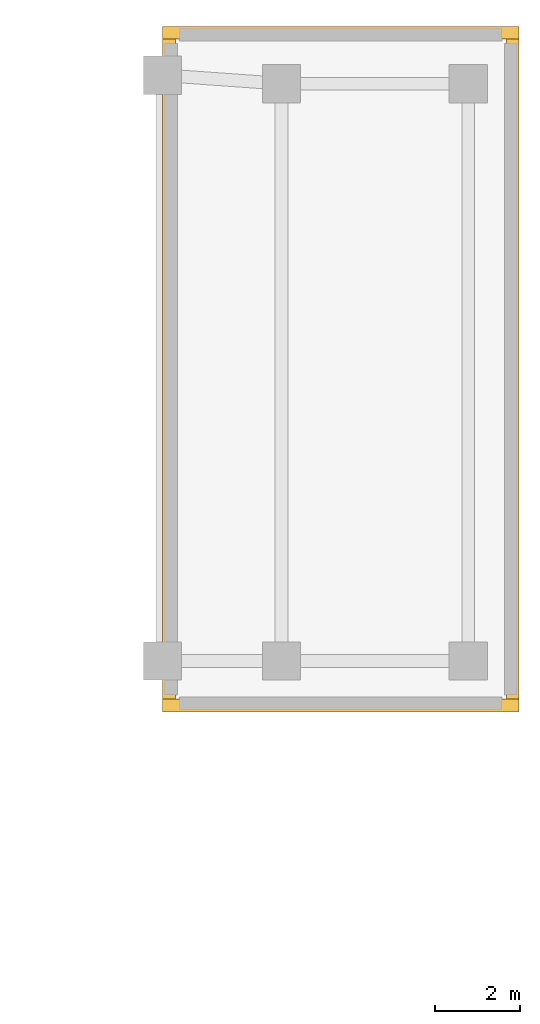
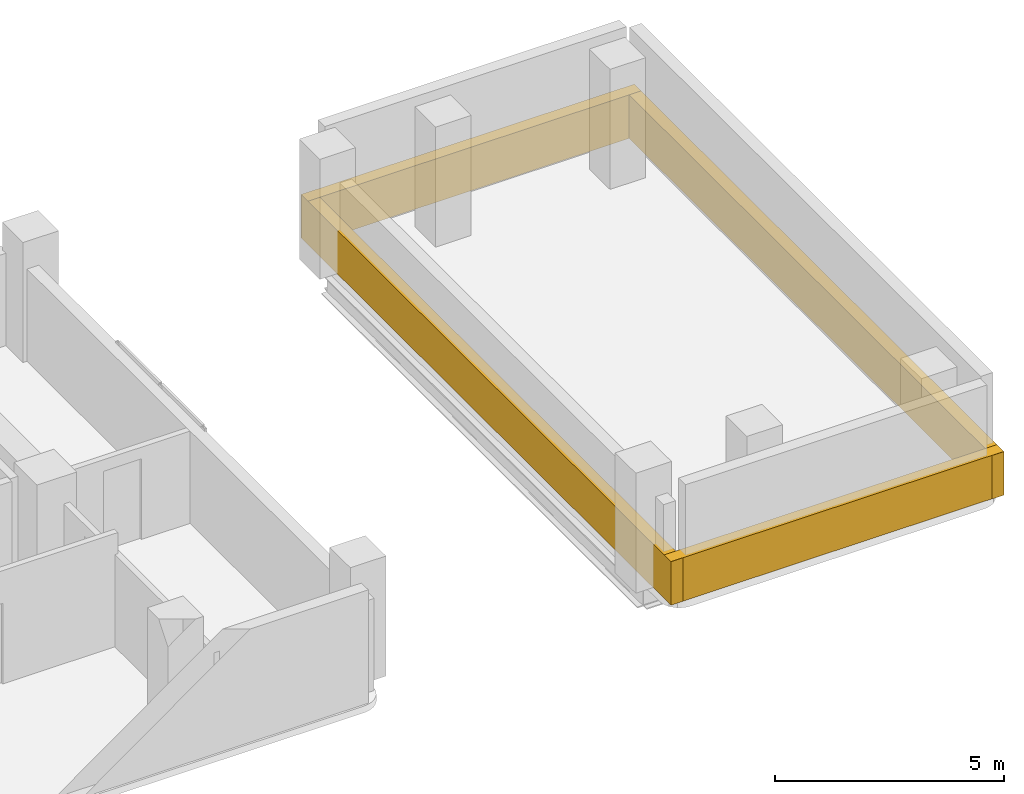
# One storey, part 10 of 10: 4 coverings.
"""IFC4 building model written with IfcOpenShell, lengths in metres."""

from ifc_helpers import new_model, si_unit, direction, frame, origin, origin_2d, place, context, subcontext, project, spatial, rectangle, extrude, material, layer, layer_set, type_object, element, save


model = new_model("IFC4")

# Units and contexts
model_context = context("Model", 3, precision=1e-05, world=origin(), true_north=direction((0.0, 1.0)))
body_context = subcontext(model_context, "Body", "Model", "MODEL_VIEW")
ifc_project = project(units=[si_unit("LENGTHUNIT", "METRE"), si_unit("AREAUNIT", "SQUARE_METRE"), si_unit("VOLUMEUNIT", "CUBIC_METRE"), si_unit("PLANEANGLEUNIT", "RADIAN"), si_unit("MASSUNIT", "GRAM", prefix="KILO")], contexts=[model_context])

# Site, building, storey
site_placement = place(None, origin())
site = spatial("IfcSite", under=ifc_project, at=site_placement, CompositionType="ELEMENT")
building_placement = place(site_placement, origin())
building = spatial("IfcBuilding", under=site, at=building_placement, Name="Kuzgunbayir Cultural Tower", CompositionType="ELEMENT")
storey_placement = place(building_placement, frame((0.0, 0.0, 160.0)))
storey = spatial("IfcBuildingStorey", under=building, at=storey_placement, Name="L46", CompositionType="ELEMENT", Elevation=160.0)

# Coverings
ifc_material = material(Name="Anatolian Cream Limestone", Category="masonry")
ifc_layer = layer(ifc_material, 0.06005859375)
ifc_layer_set = layer_set([ifc_layer], Name="Anatolian Cream Limestone")
covering_type = type_object("IfcCoveringType", Name="COV-CLAD-LIMESTONE-6", PredefinedType="CLADDING", material=ifc_layer_set)
for number, where, z_axis, x_axis, name in (
    (1, (38.550048828125, 34.469970703125, -0.02001953125), (0.0, 0.0, 1.0), (1.0, 0.0, 0.0), "L46 Portal Cap West Coping Fascia"),
    (2, (46.64990234375, 34.469970703125, -0.02001953125), (0.0, 0.0, 1.0), (1.0, 0.0, 0.0), "L46 Portal Cap East Coping Fascia"),
):
    element("IfcCovering", number, at=place(storey_placement, frame(where, z_axis=z_axis, x_axis=x_axis)), inside=storey, type_object=covering_type, Name=name, PredefinedType="CLADDING", context=body_context, shape_type="SweptSolid", body=[
        extrude(rectangle(XDim=0.300048828125, YDim=16.14990234375, at=origin_2d()), origin(), (0.0, 0.0, 1.0), 1.159912109375),
    ])
for number, where, z_axis, x_axis, name in (
    (3, (42.60009765625, 26.550048828125, -0.02001953125), (0.0, 0.0, 1.0), (1.0, 0.0, 0.0), "L46 Portal Cap South Coping Fascia"),
    (4, (42.60009765625, 42.39990234375, -0.02001953125), (0.0, 0.0, 1.0), (1.0, 0.0, 0.0), "L46 Portal Cap North Coping Fascia"),
):
    element("IfcCovering", number, at=place(storey_placement, frame(where, z_axis=z_axis, x_axis=x_axis)), inside=storey, type_object=covering_type, Name=name, PredefinedType="CLADDING", context=body_context, shape_type="SweptSolid", body=[
        extrude(rectangle(XDim=8.39990234375, YDim=0.300048828125, at=origin_2d()), origin(), (0.0, 0.0, 1.0), 1.159912109375),
    ])

save(model, "model.ifc")
